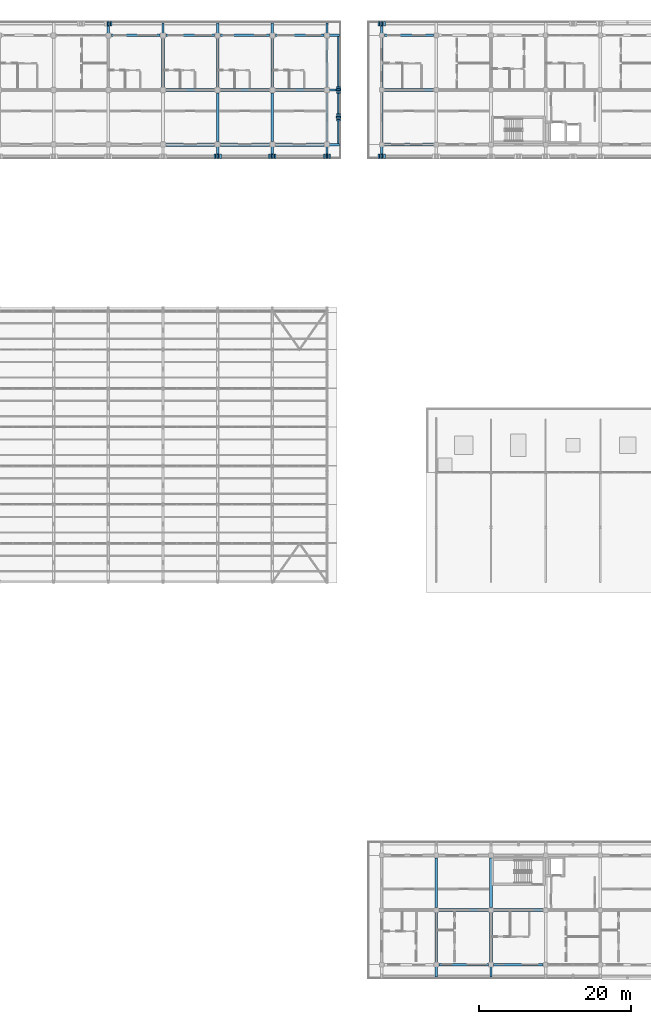
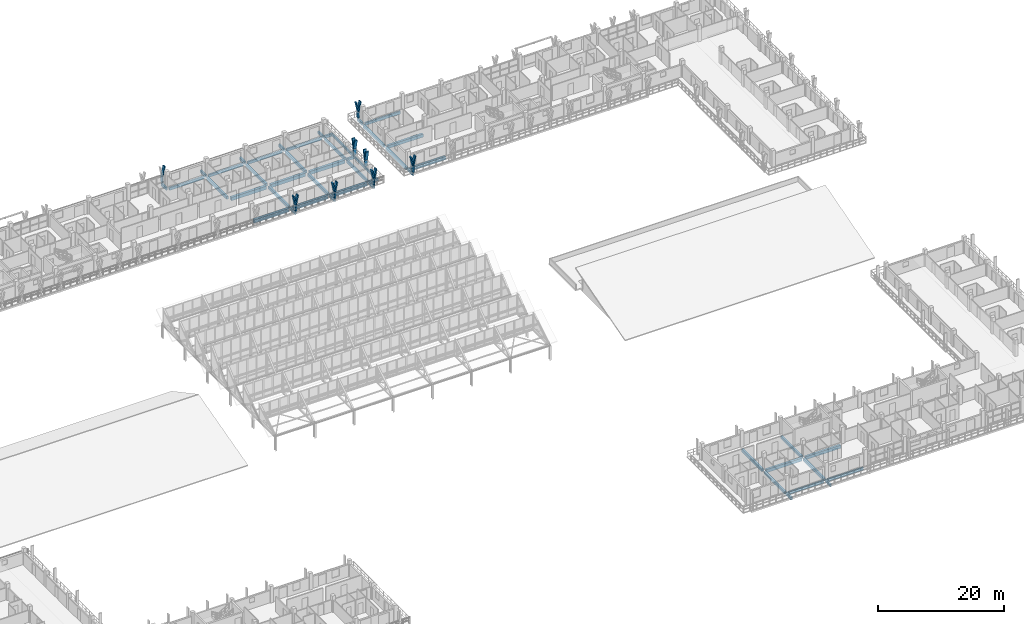
# One storey, part 76 of 157: 46 beams, 23 members.
"""IFC4 building model written with IfcOpenShell, lengths in metres."""

from ifc_helpers import new_model, si_unit, direction, frame, origin, origin_2d, place, context, subcontext, project, spatial, rectangle, extrude, material, material_profile, profile_set, type_object, element, save


model = new_model("IFC4")

# Units and contexts
model_context = context("Model", 3, precision=1e-05, world=origin(), true_north=direction((0.0, 1.0)))
body_context = subcontext(model_context, "Body", "Model", "MODEL_VIEW")
ifc_project = project(units=[si_unit("LENGTHUNIT", "METRE"), si_unit("AREAUNIT", "SQUARE_METRE"), si_unit("VOLUMEUNIT", "CUBIC_METRE"), si_unit("PLANEANGLEUNIT", "RADIAN"), si_unit("MASSUNIT", "GRAM", prefix="KILO")], contexts=[model_context])

# Site, building, storey
site_placement = place(None, origin())
site = spatial("IfcSite", under=ifc_project, at=site_placement, CompositionType="ELEMENT")
building_placement = place(site_placement, origin())
building = spatial("IfcBuilding", under=site, at=building_placement, Name="Suanplinth Sawtooth Commons", CompositionType="ELEMENT")
storey_placement = place(building_placement, frame((0.0, 0.0, 9.0)))
storey = spatial("IfcBuildingStorey", under=building, at=storey_placement, Name="L02", CompositionType="ELEMENT", Elevation=9.0)

# Beams
ifc_material_1 = material(Name="Precast concrete C40/50", Category="concrete")
ifc_material_profile_1 = material_profile(ifc_material_1, rectangle(XDim=0.449951171875, YDim=0.64990234375, at=origin_2d()), Name="PC-GDR 450x650")
ifc_profile_set_1 = profile_set([ifc_material_profile_1], Name="Precast concrete C40/50")
beam_type_1 = type_object("IfcBeamType", Name="B-04", PredefinedType="USERDEFINED", material=ifc_profile_set_1)
for number, where, z_axis, x_axis, name in (
    (1, (94.0, 108.0, -0.574951171875), (1.0, 0.0, 0.0), (0.0, 1.0, 0.0), "BMX-L02-A-13-15"),
    (2, (94.0, 115.199951171875, -0.574951171875), (1.0, 0.0, 0.0), (0.0, 1.0, 0.0), "BMX-L02-A-13-16"),
):
    element("IfcBeam", number, at=place(storey_placement, frame(where, z_axis=z_axis, x_axis=x_axis)), inside=storey, type_object=beam_type_1, Name=name, ObjectType="GIRDER", PredefinedType="USERDEFINED", context=body_context, shape_type="SweptSolid", body=[
        extrude(rectangle(XDim=0.449951171875, YDim=0.64990234375, at=origin_2d()), origin(), (0.0, 0.0, 1.0), 6.39990234375),
    ])
for number, where, z_axis, x_axis, name in (
    (3, (101.199951171875, 108.0, -0.574951171875), (1.0, 0.0, 0.0), (0.0, 1.0, 0.0), "BMX-L02-A-14-15"),
    (4, (101.199951171875, 115.199951171875, -0.574951171875), (1.0, 0.0, 0.0), (0.0, 1.0, 0.0), "BMX-L02-A-14-16"),
    (5, (108.39990234375, 108.0, -0.574951171875), (1.0, 0.0, 0.0), (0.0, 1.0, 0.0), "BMX-L02-A-15-15"),
    (6, (108.39990234375, 115.199951171875, -0.574951171875), (1.0, 0.0, 0.0), (0.0, 1.0, 0.0), "BMX-L02-A-15-16"),
):
    element("IfcBeam", number, at=place(storey_placement, frame(where, z_axis=z_axis, x_axis=x_axis)), inside=storey, type_object=beam_type_1, Name=name, ObjectType="GIRDER", PredefinedType="USERDEFINED", context=body_context, shape_type="SweptSolid", body=[
        extrude(rectangle(XDim=0.449951171875, YDim=0.64990234375, at=origin_2d()), origin(), (0.0, 0.0, 1.0), 6.400146484375),
    ])
ifc_material_profile_2 = material_profile(ifc_material_1, rectangle(XDim=0.39990234375, YDim=0.60009765625, at=origin_2d()), Name="PC-GDR 400x600")
ifc_profile_set_2 = profile_set([ifc_material_profile_2], Name="Precast concrete C40/50")
beam_type_2 = type_object("IfcBeamType", Name="B-05", PredefinedType="USERDEFINED", material=ifc_profile_set_2)
for number, where, z_axis, x_axis, name in (
    (7, (122.75, 108.0, -0.550048828125), (1.0, 0.0, 0.0), (0.0, 1.0, 0.0), "BMX-L02-B-17-15"),
    (8, (122.75, 115.199951171875, -0.550048828125), (1.0, 0.0, 0.0), (0.0, 1.0, 0.0), "BMX-L02-B-17-16"),
    (9, (129.949951171875, 7.199951171875, -0.550048828125), (1.0, 0.0, 0.0), (0.0, 1.0, 0.0), "BMX-L02-C-18-1"),
    (10, (137.14990234375, 7.199951171875, -0.550048828125), (1.0, 0.0, 0.0), (0.0, 1.0, 0.0), "BMX-L02-C-19-1"),
):
    element("IfcBeam", number, at=place(storey_placement, frame(where, z_axis=z_axis, x_axis=x_axis)), inside=storey, type_object=beam_type_2, Name=name, ObjectType="GIRDER", PredefinedType="USERDEFINED", context=body_context, shape_type="SweptSolid", body=[
        extrude(rectangle(XDim=0.39990234375, YDim=0.60009765625, at=origin_2d()), origin(), (0.0, 0.0, 1.0), 6.5),
    ])
ifc_material_profile_3 = material_profile(ifc_material_1, rectangle(XDim=0.35009765625, YDim=0.550048828125, at=origin_2d()), Name="PC-BM 350x550")
ifc_profile_set_3 = profile_set([ifc_material_profile_3], Name="Precast concrete C40/50")
beam_type_3 = type_object("IfcBeamType", Name="B-06", PredefinedType="BEAM", material=ifc_profile_set_3)
beam_1_placement = place(storey_placement, frame((93.60009765625, 115.60009765625, -0.52490234375), z_axis=(0.0, 1.0, 0.0), x_axis=(-1.0, 0.0, 0.0)))
element("IfcBeam", 11, at=beam_1_placement, inside=storey, type_object=beam_type_3, Name="BMY-L02-A-13-16", PredefinedType="BEAM", context=body_context, shape_type="SweptSolid", body=[
    extrude(rectangle(XDim=0.35009765625, YDim=0.550048828125, at=origin_2d()), origin(), (0.0, 0.0, 1.0), 6.39990234375),
])
beam_2_placement = place(storey_placement, frame((100.800048828125, 108.39990234375, -0.52490234375), z_axis=(0.0, 1.0, 0.0), x_axis=(-1.0, 0.0, 0.0)))
element("IfcBeam", 12, at=beam_2_placement, inside=storey, type_object=beam_type_3, Name="BMY-L02-A-14-15", PredefinedType="BEAM", context=body_context, shape_type="SweptSolid", body=[
    extrude(rectangle(XDim=0.35009765625, YDim=0.550048828125, at=origin_2d()), origin(), (0.0, 0.0, 1.0), 6.400146484375),
])
beam_3_placement = place(storey_placement, frame((100.800048828125, 115.60009765625, -0.52490234375), z_axis=(0.0, 1.0, 0.0), x_axis=(-1.0, 0.0, 0.0)))
element("IfcBeam", 13, at=beam_3_placement, inside=storey, type_object=beam_type_3, Name="BMY-L02-A-14-16", PredefinedType="BEAM", context=body_context, shape_type="SweptSolid", body=[
    extrude(rectangle(XDim=0.35009765625, YDim=0.550048828125, at=origin_2d()), origin(), (0.0, 0.0, 1.0), 6.39990234375),
])
beam_4_placement = place(storey_placement, frame((108.0, 108.39990234375, -0.52490234375), z_axis=(0.0, 1.0, 0.0), x_axis=(-1.0, 0.0, 0.0)))
element("IfcBeam", 14, at=beam_4_placement, inside=storey, type_object=beam_type_3, Name="BMY-L02-A-15-15", PredefinedType="BEAM", context=body_context, shape_type="SweptSolid", body=[
    extrude(rectangle(XDim=0.35009765625, YDim=0.550048828125, at=origin_2d()), origin(), (0.0, 0.0, 1.0), 6.400146484375),
])
beam_5_placement = place(storey_placement, frame((108.0, 115.60009765625, -0.52490234375), z_axis=(0.0, 1.0, 0.0), x_axis=(-1.0, 0.0, 0.0)))
element("IfcBeam", 15, at=beam_5_placement, inside=storey, type_object=beam_type_3, Name="BMY-L02-A-15-16", PredefinedType="BEAM", context=body_context, shape_type="SweptSolid", body=[
    extrude(rectangle(XDim=0.35009765625, YDim=0.550048828125, at=origin_2d()), origin(), (0.0, 0.0, 1.0), 6.39990234375),
])
for number, where, z_axis, x_axis, name in (
    (16, (122.39990234375, 108.35009765625, -0.52490234375), (0.0, 1.0, 0.0), (-1.0, 0.0, 0.0), "BMY-L02-B-17-15"),
    (17, (122.39990234375, 115.550048828125, -0.52490234375), (0.0, 1.0, 0.0), (-1.0, 0.0, 0.0), "BMY-L02-B-17-16"),
    (18, (129.60009765625, 0.35009765625, -0.52490234375), (0.0, 1.0, 0.0), (-1.0, 0.0, 0.0), "BMY-L02-C-18-0"),
    (19, (129.60009765625, 7.550048828125, -0.52490234375), (0.0, 1.0, 0.0), (-1.0, 0.0, 0.0), "BMY-L02-C-18-1"),
    (20, (136.800048828125, 0.35009765625, -0.52490234375), (0.0, 1.0, 0.0), (-1.0, 0.0, 0.0), "BMY-L02-C-19-0"),
    (21, (136.800048828125, 7.550048828125, -0.52490234375), (0.0, 1.0, 0.0), (-1.0, 0.0, 0.0), "BMY-L02-C-19-1"),
):
    element("IfcBeam", number, at=place(storey_placement, frame(where, z_axis=z_axis, x_axis=x_axis)), inside=storey, type_object=beam_type_3, Name=name, PredefinedType="BEAM", context=body_context, shape_type="SweptSolid", body=[
        extrude(rectangle(XDim=0.35009765625, YDim=0.550048828125, at=origin_2d()), origin(), (0.0, 0.0, 1.0), 6.5),
    ])
ifc_material_profile_4 = material_profile(ifc_material_1, rectangle(XDim=0.300048828125, YDim=0.5, at=origin_2d()), Name="PC-BM 300x500")
ifc_profile_set_4 = profile_set([ifc_material_profile_4], Name="Precast concrete C40/50")
beam_type_4 = type_object("IfcBeamType", Name="B-07", PredefinedType="BEAM", material=ifc_profile_set_4)
for number, where, z_axis, x_axis, name in (
    (22, (86.39990234375, 122.39990234375, -0.429931640625), (0.0, 1.0, 0.0), (-1.0, 0.0, 0.0), "Balcony Outrigger L02-A-N-12"),
    (23, (93.60009765625, 122.39990234375, -0.429931640625), (0.0, 1.0, 0.0), (-1.0, 0.0, 0.0), "Balcony Outrigger L02-A-N-13"),
    (24, (100.800048828125, 122.39990234375, -0.429931640625), (0.0, 1.0, 0.0), (-1.0, 0.0, 0.0), "Balcony Outrigger L02-A-N-14"),
    (25, (108.0, 122.39990234375, -0.429931640625), (0.0, 1.0, 0.0), (-1.0, 0.0, 0.0), "Balcony Outrigger L02-A-N-15"),
    (26, (115.199951171875, 122.39990234375, -0.429931640625), (0.0, 1.0, 0.0), (-1.0, 0.0, 0.0), "Balcony Outrigger L02-A-N-16"),
):
    element("IfcBeam", number, at=place(storey_placement, frame(where, z_axis=z_axis, x_axis=x_axis)), inside=storey, type_object=beam_type_4, Name=name, PredefinedType="BEAM", context=body_context, shape_type="SweptSolid", body=[
        extrude(rectangle(XDim=0.300048828125, YDim=0.5, at=origin_2d()), origin(), (0.0, 0.0, 1.0), 1.64013671875),
    ])
for number, where, z_axis, x_axis, name in (
    (27, (100.800048828125, 108.0, -0.429931640625), (0.0, -1.0, 0.0), (1.0, 0.0, 0.0), "Balcony Outrigger L02-A-S-14"),
    (28, (108.0, 108.0, -0.429931640625), (0.0, -1.0, 0.0), (1.0, 0.0, 0.0), "Balcony Outrigger L02-A-S-15"),
    (29, (115.199951171875, 108.0, -0.429931640625), (0.0, -1.0, 0.0), (1.0, 0.0, 0.0), "Balcony Outrigger L02-A-S-16"),
):
    element("IfcBeam", number, at=place(storey_placement, frame(where, z_axis=z_axis, x_axis=x_axis)), inside=storey, type_object=beam_type_4, Name=name, PredefinedType="BEAM", context=body_context, shape_type="SweptSolid", body=[
        extrude(rectangle(XDim=0.300048828125, YDim=0.5, at=origin_2d()), origin(), (0.0, 0.0, 1.0), 1.639892578125),
    ])
for number, where, z_axis, x_axis, name in (
    (30, (115.199951171875, 108.0, -0.429931640625), (1.0, 0.0, 0.0), (0.0, 1.0, 0.0), "Balcony Outrigger L02-A-E-15"),
    (31, (115.199951171875, 115.199951171875, -0.429931640625), (1.0, 0.0, 0.0), (0.0, 1.0, 0.0), "Balcony Outrigger L02-A-E-16"),
    (32, (115.199951171875, 122.39990234375, -0.429931640625), (1.0, 0.0, 0.0), (0.0, 1.0, 0.0), "Balcony Outrigger L02-A-E-17"),
    (33, (122.39990234375, 122.39990234375, -0.429931640625), (0.0, 1.0, 0.0), (-1.0, 0.0, 0.0), "Balcony Outrigger L02-B-N-17"),
):
    element("IfcBeam", number, at=place(storey_placement, frame(where, z_axis=z_axis, x_axis=x_axis)), inside=storey, type_object=beam_type_4, Name=name, PredefinedType="BEAM", context=body_context, shape_type="SweptSolid", body=[
        extrude(rectangle(XDim=0.300048828125, YDim=0.5, at=origin_2d()), origin(), (0.0, 0.0, 1.0), 1.64013671875),
    ])
for number, where, z_axis, x_axis, name in (
    (34, (122.39990234375, 108.0, -0.425048828125), (0.0, -1.0, 0.0), (1.0, 0.0, 0.0), "Balcony Outrigger L02-B-SC-17"),
    (35, (129.60009765625, 0.0, -0.429931640625), (0.0, -1.0, 0.0), (1.0, 0.0, 0.0), "Balcony Outrigger L02-C-S-18"),
    (36, (136.800048828125, 0.0, -0.429931640625), (0.0, -1.0, 0.0), (1.0, 0.0, 0.0), "Balcony Outrigger L02-C-S-19"),
):
    element("IfcBeam", number, at=place(storey_placement, frame(where, z_axis=z_axis, x_axis=x_axis)), inside=storey, type_object=beam_type_4, Name=name, PredefinedType="BEAM", context=body_context, shape_type="SweptSolid", body=[
        extrude(rectangle(XDim=0.300048828125, YDim=0.5, at=origin_2d()), origin(), (0.0, 0.0, 1.0), 1.639892578125),
    ])
ifc_material_profile_5 = material_profile(ifc_material_1, rectangle(XDim=0.280029296875, YDim=0.52001953125, at=origin_2d()), Name="PC-SP 280x520")
ifc_profile_set_5 = profile_set([ifc_material_profile_5], Name="Precast concrete C40/50")
beam_type_5 = type_object("IfcBeamType", Name="B-08", PredefinedType="SPANDREL", material=ifc_profile_set_5)
for number, where, z_axis, x_axis, name in (
    (37, (86.800048828125, 122.39990234375, -0.510009765625), (1.0, 0.0, 0.0), (0.0, 1.0, 0.0), "BMX-L02-A-12-17"),
    (38, (94.0, 122.39990234375, -0.510009765625), (1.0, 0.0, 0.0), (0.0, 1.0, 0.0), "BMX-L02-A-13-17"),
):
    element("IfcBeam", number, at=place(storey_placement, frame(where, z_axis=z_axis, x_axis=x_axis)), inside=storey, type_object=beam_type_5, Name=name, PredefinedType="SPANDREL", context=body_context, shape_type="SweptSolid", body=[
        extrude(rectangle(XDim=0.280029296875, YDim=0.52001953125, at=origin_2d()), origin(), (0.0, 0.0, 1.0), 6.39990234375),
    ])
for number, where, z_axis, x_axis, name in (
    (39, (101.199951171875, 122.39990234375, -0.510009765625), (1.0, 0.0, 0.0), (0.0, 1.0, 0.0), "BMX-L02-A-14-17"),
    (40, (108.39990234375, 122.39990234375, -0.510009765625), (1.0, 0.0, 0.0), (0.0, 1.0, 0.0), "BMX-L02-A-15-17"),
    (41, (115.199951171875, 108.39990234375, -0.510009765625), (0.0, 1.0, 0.0), (-1.0, 0.0, 0.0), "BMY-L02-A-16-15"),
):
    element("IfcBeam", number, at=place(storey_placement, frame(where, z_axis=z_axis, x_axis=x_axis)), inside=storey, type_object=beam_type_5, Name=name, PredefinedType="SPANDREL", context=body_context, shape_type="SweptSolid", body=[
        extrude(rectangle(XDim=0.280029296875, YDim=0.52001953125, at=origin_2d()), origin(), (0.0, 0.0, 1.0), 6.400146484375),
    ])
beam_6_placement = place(storey_placement, frame((115.199951171875, 115.60009765625, -0.510009765625), z_axis=(0.0, 1.0, 0.0), x_axis=(-1.0, 0.0, 0.0)))
element("IfcBeam", 42, at=beam_6_placement, inside=storey, type_object=beam_type_5, Name="BMY-L02-A-16-16", PredefinedType="SPANDREL", context=body_context, shape_type="SweptSolid", body=[
    extrude(rectangle(XDim=0.280029296875, YDim=0.52001953125, at=origin_2d()), origin(), (0.0, 0.0, 1.0), 6.39990234375),
])
for number, where, z_axis, x_axis, name in (
    (43, (122.75, 122.39990234375, -0.510009765625), (1.0, 0.0, 0.0), (0.0, 1.0, 0.0), "BMX-L02-B-17-17"),
    (44, (129.949951171875, 0.0, -0.510009765625), (1.0, 0.0, 0.0), (0.0, 1.0, 0.0), "BMX-L02-C-18-0"),
    (45, (137.14990234375, 0.0, -0.510009765625), (1.0, 0.0, 0.0), (0.0, 1.0, 0.0), "BMX-L02-C-19-0"),
):
    element("IfcBeam", number, at=place(storey_placement, frame(where, z_axis=z_axis, x_axis=x_axis)), inside=storey, type_object=beam_type_5, Name=name, PredefinedType="SPANDREL", context=body_context, shape_type="SweptSolid", body=[
        extrude(rectangle(XDim=0.280029296875, YDim=0.52001953125, at=origin_2d()), origin(), (0.0, 0.0, 1.0), 6.5),
    ])
ifc_material_profile_6 = material_profile(ifc_material_1, rectangle(XDim=0.25, YDim=0.449951171875, at=origin_2d()), Name="PC-SP 250x450")
ifc_profile_set_6 = profile_set([ifc_material_profile_6], Name="Precast concrete C40/50")
beam_type_6 = type_object("IfcBeamType", Name="B-09", PredefinedType="SPANDREL", material=ifc_profile_set_6)
beam_7_placement = place(storey_placement, frame((116.719970703125, 107.85009765625, -0.405029296875), z_axis=(0.0, 1.0, 0.0), x_axis=(-1.0, 0.0, 0.0)))
element("IfcBeam", 46, at=beam_7_placement, inside=storey, type_object=beam_type_6, Name="Balcony Edge Fascia L02-A-E", PredefinedType="SPANDREL", context=body_context, shape_type="SweptSolid", body=[
    extrude(rectangle(XDim=0.25, YDim=0.449951171875, at=origin_2d()), origin(), (0.0, 0.0, 1.0), 14.699951171875),
])

# Members
ifc_material_2 = material(Name="Pigmented precast concrete C40/50", Category="concrete")
ifc_material_profile_7 = material_profile(ifc_material_2, rectangle(XDim=0.260009765625, YDim=0.550048828125, at=origin_2d()), Name="PC-FIN 260x550")
ifc_profile_set_7 = profile_set([ifc_material_profile_7], Name="Pigmented precast concrete C40/50")
member_type_1 = type_object("IfcMemberType", Name="M-09", PredefinedType="USERDEFINED", material=ifc_profile_set_7)
for number, where, z_axis, x_axis, name in (
    (47, (86.39990234375, 123.919921875, 0.0), (0.0, 0.0, 1.0), (1.0, 0.0, 0.0), "Y-Blade Stem L02-A-N-09"),
    (48, (100.800048828125, 106.47998046875, 0.0), (0.0, 0.0, 1.0), (1.0, 0.0, 0.0), "Y-Blade Stem L02-A-S-28"),
    (49, (108.0, 106.47998046875, 0.0), (0.0, 0.0, 1.0), (1.0, 0.0, 0.0), "Y-Blade Stem L02-A-S-29"),
    (50, (115.199951171875, 106.47998046875, 0.0), (0.0, 0.0, 1.0), (1.0, 0.0, 0.0), "Y-Blade Stem L02-A-S-30"),
    (51, (116.719970703125, 111.60009765625, 0.0), (0.0, 0.0, 1.0), (0.0, 1.0, 0.0), "Y-Blade Stem L02-A-E-33"),
    (52, (116.719970703125, 115.199951171875, 0.0), (0.0, 0.0, 1.0), (0.0, 1.0, 0.0), "Y-Blade Stem L02-A-E-34"),
    (53, (122.39990234375, 123.919921875, 0.0), (0.0, 0.0, 1.0), (1.0, 0.0, 0.0), "Y-Blade Stem L02-B-N-01"),
    (54, (122.39990234375, 106.47998046875, 0.0), (0.0, 0.0, 1.0), (1.0, 0.0, 0.0), "Y-Blade Stem L02-B-SC-14"),
):
    element("IfcMember", number, at=place(storey_placement, frame(where, z_axis=z_axis, x_axis=x_axis)), inside=storey, type_object=member_type_1, Name=name, ObjectType="SHADING FIN", PredefinedType="USERDEFINED", context=body_context, shape_type="SweptSolid", body=[
        extrude(rectangle(XDim=0.260009765625, YDim=0.550048828125, at=origin_2d()), origin(), (0.0, 0.0, 1.0), 1.169921875),
    ])
ifc_material_profile_8 = material_profile(ifc_material_2, rectangle(XDim=0.219970703125, YDim=0.550048828125, at=origin_2d()), Name="PC-FIN 220x550")
ifc_profile_set_8 = profile_set([ifc_material_profile_8], Name="Pigmented precast concrete C40/50")
member_type_2 = type_object("IfcMemberType", Name="M-10", PredefinedType="USERDEFINED", material=ifc_profile_set_8)
for number, where, z_axis, x_axis, name in (
    (55, (86.39990234375, 123.919921875, 1.1298828125), (0.196406855569, 0.0, 0.980522486782), (-0.980522486782, 0.0, 0.196406855569), "Y-Blade Arm R L02-A-N-09"),
    (56, (100.800048828125, 106.47998046875, 1.1298828125), (-0.196406855569, 0.0, 0.980522486782), (0.980522486782, 0.0, 0.196406855569), "Y-Blade Arm L L02-A-S-28"),
):
    element("IfcMember", number, at=place(storey_placement, frame(where, z_axis=z_axis, x_axis=x_axis)), inside=storey, type_object=member_type_2, Name=name, ObjectType="SHADING FIN", PredefinedType="USERDEFINED", context=body_context, shape_type="SweptSolid", body=[
        extrude(rectangle(XDim=0.219970703125, YDim=0.550048828125, at=origin_2d()), origin(), (0.0, 0.0, 1.0), 1.93798828125),
    ])
member_1_placement = place(storey_placement, frame((100.800048828125, 106.47998046875, 1.1298828125), z_axis=(0.196285728346, 0.0, 0.980546741796), x_axis=(-0.980546741796, 0.0, 0.196285728346)))
element("IfcMember", 57, at=member_1_placement, inside=storey, type_object=member_type_2, Name="Y-Blade Arm R L02-A-S-28", ObjectType="SHADING FIN", PredefinedType="USERDEFINED", context=body_context, shape_type="SweptSolid", body=[
    extrude(rectangle(XDim=0.219970703125, YDim=0.550048828125, at=origin_2d()), origin(), (0.0, 0.0, 1.0), 1.937744140625),
])
for number, where, z_axis, x_axis, name in (
    (58, (108.0, 106.47998046875, 1.1298828125), (-0.196406855569, 0.0, 0.980522486782), (0.980522486782, 0.0, 0.196406855569), "Y-Blade Arm L L02-A-S-29"),
    (59, (108.0, 106.47998046875, 1.1298828125), (0.196406855569, 0.0, 0.980522486782), (-0.980522486782, 0.0, 0.196406855569), "Y-Blade Arm R L02-A-S-29"),
):
    element("IfcMember", number, at=place(storey_placement, frame(where, z_axis=z_axis, x_axis=x_axis)), inside=storey, type_object=member_type_2, Name=name, ObjectType="SHADING FIN", PredefinedType="USERDEFINED", context=body_context, shape_type="SweptSolid", body=[
        extrude(rectangle(XDim=0.219970703125, YDim=0.550048828125, at=origin_2d()), origin(), (0.0, 0.0, 1.0), 1.93798828125),
    ])
member_2_placement = place(storey_placement, frame((115.199951171875, 106.47998046875, 1.1298828125), z_axis=(-0.196285728346, 0.0, 0.980546741796), x_axis=(0.980546741796, 0.0, 0.196285728346)))
element("IfcMember", 60, at=member_2_placement, inside=storey, type_object=member_type_2, Name="Y-Blade Arm L L02-A-S-30", ObjectType="SHADING FIN", PredefinedType="USERDEFINED", context=body_context, shape_type="SweptSolid", body=[
    extrude(rectangle(XDim=0.219970703125, YDim=0.550048828125, at=origin_2d()), origin(), (0.0, 0.0, 1.0), 1.937744140625),
])
for number, where, z_axis, x_axis, name in (
    (61, (115.199951171875, 106.47998046875, 1.1298828125), (0.196406855569, 0.0, 0.980522486782), (-0.980522486782, 0.0, 0.196406855569), "Y-Blade Arm R L02-A-S-30"),
    (62, (116.719970703125, 111.60009765625, 1.1298828125), (0.0, -0.196406855569, 0.980522486782), (0.0, 0.980522486782, 0.196406855569), "Y-Blade Arm L L02-A-E-33"),
):
    element("IfcMember", number, at=place(storey_placement, frame(where, z_axis=z_axis, x_axis=x_axis)), inside=storey, type_object=member_type_2, Name=name, ObjectType="SHADING FIN", PredefinedType="USERDEFINED", context=body_context, shape_type="SweptSolid", body=[
        extrude(rectangle(XDim=0.219970703125, YDim=0.550048828125, at=origin_2d()), origin(), (0.0, 0.0, 1.0), 1.93798828125),
    ])
for number, where, z_axis, x_axis, name in (
    (63, (116.719970703125, 111.60009765625, 1.1298828125), (0.0, 0.196285728346, 0.980546741796), (0.0, -0.980546741796, 0.196285728346), "Y-Blade Arm R L02-A-E-33"),
    (64, (116.719970703125, 115.199951171875, 1.1298828125), (0.0, -0.196285728346, 0.980546741796), (0.0, 0.980546741796, 0.196285728346), "Y-Blade Arm L L02-A-E-34"),
):
    element("IfcMember", number, at=place(storey_placement, frame(where, z_axis=z_axis, x_axis=x_axis)), inside=storey, type_object=member_type_2, Name=name, ObjectType="SHADING FIN", PredefinedType="USERDEFINED", context=body_context, shape_type="SweptSolid", body=[
        extrude(rectangle(XDim=0.219970703125, YDim=0.550048828125, at=origin_2d()), origin(), (0.0, 0.0, 1.0), 1.937744140625),
    ])
member_3_placement = place(storey_placement, frame((116.719970703125, 115.199951171875, 1.1298828125), z_axis=(0.0, 0.196406855569, 0.980522486782), x_axis=(0.0, -0.980522486782, 0.196406855569)))
element("IfcMember", 65, at=member_3_placement, inside=storey, type_object=member_type_2, Name="Y-Blade Arm R L02-A-E-34", ObjectType="SHADING FIN", PredefinedType="USERDEFINED", context=body_context, shape_type="SweptSolid", body=[
    extrude(rectangle(XDim=0.219970703125, YDim=0.550048828125, at=origin_2d()), origin(), (0.0, 0.0, 1.0), 1.93798828125),
])
member_4_placement = place(storey_placement, frame((122.39990234375, 123.919921875, 1.1298828125), z_axis=(-0.196285728346, 0.0, 0.980546741796), x_axis=(0.980546741796, 0.0, 0.196285728346)))
element("IfcMember", 66, at=member_4_placement, inside=storey, type_object=member_type_2, Name="Y-Blade Arm L L02-B-N-01", ObjectType="SHADING FIN", PredefinedType="USERDEFINED", context=body_context, shape_type="SweptSolid", body=[
    extrude(rectangle(XDim=0.219970703125, YDim=0.550048828125, at=origin_2d()), origin(), (0.0, 0.0, 1.0), 1.937744140625),
])
member_5_placement = place(storey_placement, frame((122.39990234375, 123.919921875, 1.1298828125), z_axis=(0.196406855569, 0.0, 0.980522486782), x_axis=(-0.980522486782, 0.0, 0.196406855569)))
element("IfcMember", 67, at=member_5_placement, inside=storey, type_object=member_type_2, Name="Y-Blade Arm R L02-B-N-01", ObjectType="SHADING FIN", PredefinedType="USERDEFINED", context=body_context, shape_type="SweptSolid", body=[
    extrude(rectangle(XDim=0.219970703125, YDim=0.550048828125, at=origin_2d()), origin(), (0.0, 0.0, 1.0), 1.93798828125),
])
member_6_placement = place(storey_placement, frame((122.39990234375, 106.47998046875, 1.1298828125), z_axis=(-0.196285728346, 0.0, 0.980546741796), x_axis=(0.980546741796, 0.0, 0.196285728346)))
element("IfcMember", 68, at=member_6_placement, inside=storey, type_object=member_type_2, Name="Y-Blade Arm L L02-B-SC-14", ObjectType="SHADING FIN", PredefinedType="USERDEFINED", context=body_context, shape_type="SweptSolid", body=[
    extrude(rectangle(XDim=0.219970703125, YDim=0.550048828125, at=origin_2d()), origin(), (0.0, 0.0, 1.0), 1.937744140625),
])
member_7_placement = place(storey_placement, frame((122.39990234375, 106.47998046875, 1.1298828125), z_axis=(0.196406855569, 0.0, 0.980522486782), x_axis=(-0.980522486782, 0.0, 0.196406855569)))
element("IfcMember", 69, at=member_7_placement, inside=storey, type_object=member_type_2, Name="Y-Blade Arm R L02-B-SC-14", ObjectType="SHADING FIN", PredefinedType="USERDEFINED", context=body_context, shape_type="SweptSolid", body=[
    extrude(rectangle(XDim=0.219970703125, YDim=0.550048828125, at=origin_2d()), origin(), (0.0, 0.0, 1.0), 1.93798828125),
])

save(model, "model.ifc")
